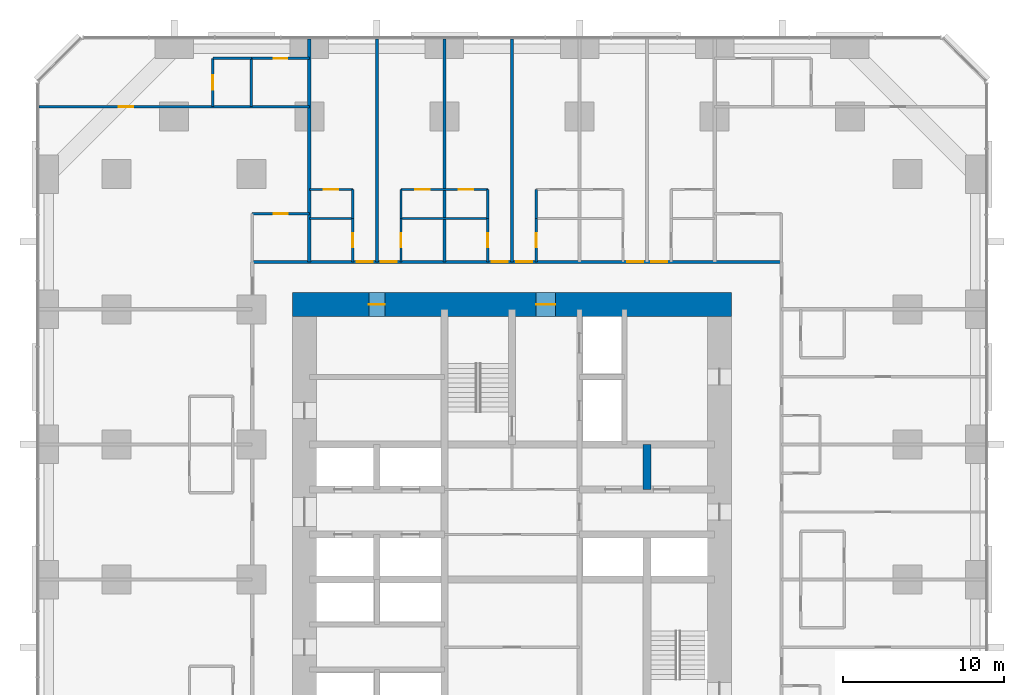
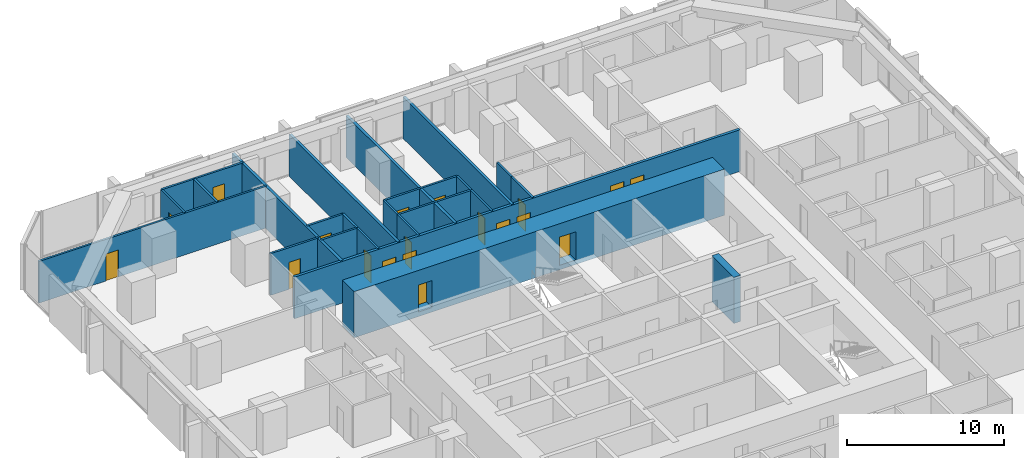
# One storey, part 14 of 17: 25 walls, 19 doors, 19 openings.
"""IFC4 building model written with IfcOpenShell, lengths in metres."""

from ifc_helpers import new_model, si_unit, direction, frame, frame_2d, origin, place, context, subcontext, project, spatial, rectangle, extrude, material, layer, layer_set, type_object, element, fill, save


model = new_model("IFC4")

# Units and contexts
model_context = context("Model", 3, precision=1e-05, world=origin(), true_north=direction((0.0, 1.0)))
body_context = subcontext(model_context, "Body", "Model", "MODEL_VIEW")
ifc_project = project(units=[si_unit("LENGTHUNIT", "METRE"), si_unit("AREAUNIT", "SQUARE_METRE"), si_unit("VOLUMEUNIT", "CUBIC_METRE"), si_unit("PLANEANGLEUNIT", "RADIAN"), si_unit("MASSUNIT", "GRAM", prefix="KILO")], contexts=[model_context])

# Site, building, storey
site_placement = place(None, origin())
site = spatial("IfcSite", under=ifc_project, at=site_placement, CompositionType="ELEMENT")
building_placement = place(site_placement, origin())
building = spatial("IfcBuilding", under=site, at=building_placement, Name="Dunama Terrace Hotel", CompositionType="ELEMENT")
storey_placement = place(building_placement, frame((0.0, 0.0, 63.0)))
storey = spatial("IfcBuildingStorey", under=building, at=storey_placement, Name="L15", CompositionType="ELEMENT", Elevation=63.0)

# Wall, opening, door
ifc_material_1 = material(Name="Gypsum board partition", Category="masonry")
ifc_layer_1 = layer(ifc_material_1, 0.14990234375)
ifc_layer_set_1 = layer_set([ifc_layer_1], Name="Bathroom partition 150")
wall_type_1 = type_object("IfcWallType", Name="Bathroom partition 150", PredefinedType="PARTITIONING", material=ifc_layer_set_1)
wall_1_placement = place(storey_placement, frame((19.5, 44.949951171875, 0.0), z_axis=(0.0, 0.0, 1.0), x_axis=(0.0, 1.0, 0.0)))
wall_1 = element("IfcWall", 1, at=wall_1_placement, inside=storey, type_object=wall_type_1, Name="Bathroom partition 150 L15", PredefinedType="PARTITIONING", context=body_context, shape_type="SweptSolid", body=[
    extrude(rectangle(XDim=2.699951171875, YDim=0.14990234375, at=frame_2d((1.35009765625, 0.0))), origin(), (0.0, 0.0, 1.0), 3.25),
])
opening_1_placement = place(wall_1_placement, frame((0.925048828125, 0.0, 0.0)))
opening_1 = element("IfcOpeningElement", 2, at=opening_1_placement, cuts=wall_1, Name="Opening L15-16-032", PredefinedType="OPENING", context=body_context, shape_type="SweptSolid", body=[
    extrude(rectangle(XDim=0.85009765625, YDim=2.10009765625, at=frame_2d((0.425048828125, 1.050048828125))), frame((0.0, 0.0849609375, 0.0), z_axis=(0.0, -1.0, 0.0), x_axis=(1.0, 0.0, 0.0)), (0.0, 0.0, 1.0), 0.169921875),
])
ifc_material_2 = material(Name="Timber door with steel frame", Category="steel")
door_type_1 = type_object("IfcDoorType", Name="Bathroom door 850", OperationType="SINGLE_SWING_LEFT", PredefinedType="DOOR", material=ifc_material_2)
door_1_placement = place(opening_1_placement, origin())
door_1 = element("IfcDoor", 3, at=door_1_placement, inside=storey, type_object=door_type_1, Name="Door to en-suite bathroom L15-16-032, type D2", OperationType="SINGLE_SWING_LEFT", OverallHeight=2.10009765625, OverallWidth=0.85009765625, PredefinedType="DOOR", context=body_context, shape_type="SweptSolid", body=[
    extrude(rectangle(XDim=0.85009765625, YDim=2.10009765625, at=frame_2d((0.425048828125, 1.050048828125))), frame((0.0, 0.02490234375, 0.0), z_axis=(0.0, -1.0, 0.0), x_axis=(1.0, 0.0, 0.0)), (0.0, 0.0, 1.0), 0.050048828125),
])
fill(opening_1, door_1)

wall_2_placement = place(storey_placement, frame((22.5, 44.949951171875, 0.0), z_axis=(0.0, 0.0, 1.0), x_axis=(0.0, 1.0, 0.0)))
wall_2 = element("IfcWall", 4, at=wall_2_placement, inside=storey, type_object=wall_type_1, Name="Bathroom partition 150 L15", PredefinedType="PARTITIONING", context=body_context, shape_type="SweptSolid", body=[
    extrude(rectangle(XDim=2.699951171875, YDim=0.14990234375, at=frame_2d((1.35009765625, 0.0))), origin(), (0.0, 0.0, 1.0), 3.25),
])
opening_2_placement = place(wall_2_placement, frame((0.925048828125, 0.0, 0.0)))
opening_2 = element("IfcOpeningElement", 5, at=opening_2_placement, cuts=wall_2, Name="Opening L15-16-035", PredefinedType="OPENING", context=body_context, shape_type="SweptSolid", body=[
    extrude(rectangle(XDim=0.85009765625, YDim=2.10009765625, at=frame_2d((0.425048828125, 1.050048828125))), frame((0.0, 0.0849609375, 0.0), z_axis=(0.0, -1.0, 0.0), x_axis=(1.0, 0.0, 0.0)), (0.0, 0.0, 1.0), 0.169921875),
])
door_2_placement = place(opening_2_placement, frame((0.85009765625, 0.0, 0.0), z_axis=(0.0, 0.0, 1.0), x_axis=(-1.0, 0.0, 0.0)))
door_2 = element("IfcDoor", 6, at=door_2_placement, inside=storey, type_object=door_type_1, Name="Door to en-suite bathroom L15-16-035, type D2", OperationType="SINGLE_SWING_RIGHT", OverallHeight=2.10009765625, OverallWidth=0.85009765625, PredefinedType="DOOR", context=body_context, shape_type="SweptSolid", body=[
    extrude(rectangle(XDim=0.85009765625, YDim=2.10009765625, at=frame_2d((0.425048828125, 1.050048828125))), frame((0.0, 0.025146484375, 0.0), z_axis=(0.0, -1.0, 0.0), x_axis=(1.0, 0.0, 0.0)), (0.0, 0.0, 1.0), 0.050048828125),
])
fill(opening_2, door_2)

wall_3_placement = place(storey_placement, frame((27.89990234375, 44.949951171875, 0.0), z_axis=(0.0, 0.0, 1.0), x_axis=(0.0, 1.0, 0.0)))
wall_3 = element("IfcWall", 7, at=wall_3_placement, inside=storey, type_object=wall_type_1, Name="Bathroom partition 150 L15", PredefinedType="PARTITIONING", context=body_context, shape_type="SweptSolid", body=[
    extrude(rectangle(XDim=2.699951171875, YDim=0.14990234375, at=frame_2d((1.35009765625, 0.0))), origin(), (0.0, 0.0, 1.0), 3.25),
])
opening_3_placement = place(wall_3_placement, frame((0.925048828125, 0.0, 0.0)))
opening_3 = element("IfcOpeningElement", 8, at=opening_3_placement, cuts=wall_3, Name="Opening L15-16-038", PredefinedType="OPENING", context=body_context, shape_type="SweptSolid", body=[
    extrude(rectangle(XDim=0.85009765625, YDim=2.10009765625, at=frame_2d((0.425048828125, 1.050048828125))), frame((0.0, 0.0849609375, 0.0), z_axis=(0.0, -1.0, 0.0), x_axis=(1.0, 0.0, 0.0)), (0.0, 0.0, 1.0), 0.169921875),
])
door_3_placement = place(opening_3_placement, origin())
door_3 = element("IfcDoor", 9, at=door_3_placement, inside=storey, type_object=door_type_1, Name="Door to en-suite bathroom L15-16-038, type D2", OperationType="SINGLE_SWING_LEFT", OverallHeight=2.10009765625, OverallWidth=0.85009765625, PredefinedType="DOOR", context=body_context, shape_type="SweptSolid", body=[
    extrude(rectangle(XDim=0.85009765625, YDim=2.10009765625, at=frame_2d((0.425048828125, 1.050048828125))), frame((0.0, 0.02490234375, 0.0), z_axis=(0.0, -1.0, 0.0), x_axis=(1.0, 0.0, 0.0)), (0.0, 0.0, 1.0), 0.050048828125),
])
fill(opening_3, door_3)

wall_4_placement = place(storey_placement, frame((30.89990234375, 44.949951171875, 0.0), z_axis=(0.0, 0.0, 1.0), x_axis=(0.0, 1.0, 0.0)))
wall_4 = element("IfcWall", 10, at=wall_4_placement, inside=storey, type_object=wall_type_1, Name="Bathroom partition 150 L15", PredefinedType="PARTITIONING", context=body_context, shape_type="SweptSolid", body=[
    extrude(rectangle(XDim=2.699951171875, YDim=0.14990234375, at=frame_2d((1.35009765625, 0.0))), origin(), (0.0, 0.0, 1.0), 3.25),
])
opening_4_placement = place(wall_4_placement, frame((0.925048828125, 0.0, 0.0)))
opening_4 = element("IfcOpeningElement", 11, at=opening_4_placement, cuts=wall_4, Name="Opening L15-16-041", PredefinedType="OPENING", context=body_context, shape_type="SweptSolid", body=[
    extrude(rectangle(XDim=0.85009765625, YDim=2.10009765625, at=frame_2d((0.425048828125, 1.050048828125))), frame((0.0, 0.0849609375, 0.0), z_axis=(0.0, -1.0, 0.0), x_axis=(1.0, 0.0, 0.0)), (0.0, 0.0, 1.0), 0.169921875),
])
door_4_placement = place(opening_4_placement, frame((0.85009765625, 0.0, 0.0), z_axis=(0.0, 0.0, 1.0), x_axis=(-1.0, 0.0, 0.0)))
door_4 = element("IfcDoor", 12, at=door_4_placement, inside=storey, type_object=door_type_1, Name="Door to en-suite bathroom L15-16-041, type D2", OperationType="SINGLE_SWING_RIGHT", OverallHeight=2.10009765625, OverallWidth=0.85009765625, PredefinedType="DOOR", context=body_context, shape_type="SweptSolid", body=[
    extrude(rectangle(XDim=0.85009765625, YDim=2.10009765625, at=frame_2d((0.425048828125, 1.050048828125))), frame((0.0, 0.025146484375, 0.0), z_axis=(0.0, -1.0, 0.0), x_axis=(1.0, 0.0, 0.0)), (0.0, 0.0, 1.0), 0.050048828125),
])
fill(opening_4, door_4)

wall_5_placement = place(storey_placement, frame((13.25, 47.949951171875, 0.0), z_axis=(0.0, 0.0, 1.0), x_axis=(1.0, 0.0, 0.0)))
wall_5 = element("IfcWall", 13, at=wall_5_placement, inside=storey, type_object=wall_type_1, Name="Bathroom partition 150 L15", PredefinedType="PARTITIONING", context=body_context, shape_type="SweptSolid", body=[
    extrude(rectangle(XDim=3.550048828125, YDim=0.14990234375, at=frame_2d((1.77490234375, 0.0))), origin(), (0.0, 0.0, 1.0), 3.25),
])
opening_5_placement = place(wall_5_placement, frame((1.35009765625, 0.0, 0.0)))
opening_5 = element("IfcOpeningElement", 14, at=opening_5_placement, cuts=wall_5, Name="Opening L15-16-071", PredefinedType="OPENING", context=body_context, shape_type="SweptSolid", body=[
    extrude(rectangle(XDim=0.85009765625, YDim=2.10009765625, at=frame_2d((0.425048828125, 1.050048828125))), frame((0.0, 0.0849609375, 0.0), z_axis=(0.0, -1.0, 0.0), x_axis=(1.0, 0.0, 0.0)), (0.0, 0.0, 1.0), 0.169921875),
])
door_5_placement = place(opening_5_placement, frame((0.85009765625, 0.0, 0.0), z_axis=(0.0, 0.0, 1.0), x_axis=(-1.0, 0.0, 0.0)))
door_5 = element("IfcDoor", 15, at=door_5_placement, inside=storey, type_object=door_type_1, Name="Door to powder room L15-16-071, type D2", OperationType="SINGLE_SWING_LEFT", OverallHeight=2.10009765625, OverallWidth=0.85009765625, PredefinedType="DOOR", context=body_context, shape_type="SweptSolid", body=[
    extrude(rectangle(XDim=0.85009765625, YDim=2.10009765625, at=frame_2d((0.425048828125, 1.050048828125))), frame((0.0, 0.025146484375, 0.0), z_axis=(0.0, -1.0, 0.0), x_axis=(1.0, 0.0, 0.0)), (0.0, 0.0, 1.0), 0.050048828125),
])
fill(opening_5, door_5)

wall_6_placement = place(storey_placement, frame((13.199951171875, 57.60009765625, 0.0), z_axis=(0.0, 0.0, 1.0), x_axis=(1.0, 0.0, 0.0)))
wall_6 = element("IfcWall", 16, at=wall_6_placement, inside=storey, type_object=wall_type_1, Name="Bathroom partition 150 L15", PredefinedType="PARTITIONING", context=body_context, shape_type="SweptSolid", body=[
    extrude(rectangle(XDim=3.60009765625, YDim=0.14990234375, at=frame_2d((1.800048828125, 0.0))), origin(), (0.0, 0.0, 1.0), 3.25),
])
opening_6_placement = place(wall_6_placement, frame((1.375, 0.0, 0.0)))
opening_6 = element("IfcOpeningElement", 17, at=opening_6_placement, cuts=wall_6, Name="Opening L15-16-073", PredefinedType="OPENING", context=body_context, shape_type="SweptSolid", body=[
    extrude(rectangle(XDim=0.85009765625, YDim=2.10009765625, at=frame_2d((0.425048828125, 1.050048828125))), frame((0.0, 0.0849609375, 0.0), z_axis=(0.0, -1.0, 0.0), x_axis=(1.0, 0.0, 0.0)), (0.0, 0.0, 1.0), 0.169921875),
])
door_6_placement = place(opening_6_placement, frame((0.85009765625, 0.0, 0.0), z_axis=(0.0, 0.0, 1.0), x_axis=(-1.0, 0.0, 0.0)))
door_6 = element("IfcDoor", 18, at=door_6_placement, inside=storey, type_object=door_type_1, Name="Door to en-suite bathroom L15-16-073, type D2", OperationType="SINGLE_SWING_LEFT", OverallHeight=2.10009765625, OverallWidth=0.85009765625, PredefinedType="DOOR", context=body_context, shape_type="SweptSolid", body=[
    extrude(rectangle(XDim=0.85009765625, YDim=2.10009765625, at=frame_2d((0.425048828125, 1.050048828125))), frame((0.0, 0.025146484375, 0.0), z_axis=(0.0, -1.0, 0.0), x_axis=(1.0, 0.0, 0.0)), (0.0, 0.0, 1.0), 0.050048828125),
])
fill(opening_6, door_6)

# Wall
ifc_material_3 = material(Name="Concrete C50/60", Category="concrete")
ifc_layer_2 = layer(ifc_material_3, 0.5)
ifc_layer_set_2 = layer_set([ifc_layer_2], Name="Core inner wall 500")
wall_type_2 = type_object("IfcWallType", Name="Core inner wall 500", PredefinedType="SHEAR", material=ifc_layer_set_2)
wall_7_placement = place(storey_placement, frame((37.800048828125, 30.800048828125, -0.35009765625), z_axis=(0.0, 0.0, 1.0), x_axis=(0.0, 1.0, 0.0)))
element("IfcWall", 19, at=wall_7_placement, inside=storey, type_object=wall_type_2, Name="Core inner wall 500 L15", PredefinedType="SHEAR", context=body_context, shape_type="SweptSolid", body=[
    extrude(rectangle(XDim=2.800048828125, YDim=0.5, at=frame_2d((1.39990234375, 0.0))), origin(), (0.0, 0.0, 1.0), 3.60009765625),
])

# Wall, openings, doors
ifc_material_4 = material(Name="Concrete C60/75", Category="concrete")
ifc_layer_3 = layer(ifc_material_4, 1.5)
ifc_layer_set_3 = layer_set([ifc_layer_3], Name="Core wall 1500")
wall_type_3 = type_object("IfcWallType", Name="Core wall 1500", PredefinedType="SHEAR", material=ifc_layer_set_3)
wall_8_placement = place(storey_placement, frame((43.050048828125, 42.300048828125, -0.35009765625), z_axis=(0.0, 0.0, 1.0), x_axis=(-1.0, 0.0, 0.0)))
wall_8 = element("IfcWall", 20, at=wall_8_placement, inside=storey, type_object=wall_type_3, Name="Core wall north L15", PredefinedType="SHEAR", context=body_context, shape_type="SweptSolid", body=[
    extrude(rectangle(XDim=27.300048828125, YDim=1.5, at=frame_2d((13.64990234375, 0.0))), origin(), (0.0, 0.0, 1.0), 3.60009765625),
])
opening_7_placement = place(wall_8_placement, frame((21.550048828125, 0.0, 0.35009765625)))
opening_7 = element("IfcOpeningElement", 21, at=opening_7_placement, cuts=wall_8, Name="Opening L15-16-078", PredefinedType="OPENING", context=body_context, shape_type="SweptSolid", body=[
    extrude(rectangle(XDim=1.0, YDim=2.10009765625, at=frame_2d((0.5, 1.050048828125))), frame((0.0, 0.760009765625, 0.0), z_axis=(0.0, -1.0, 0.0), x_axis=(1.0, 0.0, 0.0)), (0.0, 0.0, 1.0), 1.52001953125),
])
opening_8_placement = place(wall_8_placement, frame((10.949951171875, 0.0, 0.35009765625)))
opening_8 = element("IfcOpeningElement", 22, at=opening_8_placement, cuts=wall_8, Name="Opening L15-16-086", PredefinedType="OPENING", context=body_context, shape_type="SweptSolid", body=[
    extrude(rectangle(XDim=1.199951171875, YDim=2.199951171875, at=frame_2d((0.60009765625, 1.10009765625))), frame((0.0, 0.760009765625, 0.0), z_axis=(0.0, -1.0, 0.0), x_axis=(1.0, 0.0, 0.0)), (0.0, 0.0, 1.0), 1.52001953125),
])
ifc_material_5 = material(Name="Timber door with steel frame", Category="steel")
door_type_2 = type_object("IfcDoorType", Name="Firefighting lobby door 1200", OperationType="SINGLE_SWING_LEFT", PredefinedType="DOOR", material=ifc_material_5)
door_7_placement = place(opening_8_placement, origin())
door_7 = element("IfcDoor", 23, at=door_7_placement, inside=storey, type_object=door_type_2, Name="Door to firefighting lobby L15-16-086, type D4", OperationType="SINGLE_SWING_RIGHT", OverallHeight=2.199951171875, OverallWidth=1.199951171875, PredefinedType="DOOR", context=body_context, shape_type="SweptSolid", body=[
    extrude(rectangle(XDim=1.199951171875, YDim=2.199951171875, at=frame_2d((0.60009765625, 1.10009765625))), frame((0.0, 0.02490234375, 0.0), z_axis=(0.0, -1.0, 0.0), x_axis=(1.0, 0.0, 0.0)), (0.0, 0.0, 1.0), 0.050048828125),
])
fill(opening_8, door_7)
ifc_material_6 = material(Name="Timber door with steel frame", Category="steel")
door_type_3 = type_object("IfcDoorType", Name="Service door 1000", OperationType="SINGLE_SWING_LEFT", PredefinedType="DOOR", material=ifc_material_6)
door_8_placement = place(opening_7_placement, origin())
door_8 = element("IfcDoor", 24, at=door_8_placement, inside=storey, type_object=door_type_3, Name="Door to communications and riser room L15-16-078, type D7", OperationType="SINGLE_SWING_LEFT", OverallHeight=2.10009765625, OverallWidth=1.0, PredefinedType="DOOR", context=body_context, shape_type="SweptSolid", body=[
    extrude(rectangle(XDim=1.0, YDim=2.10009765625, at=frame_2d((0.5, 1.050048828125))), frame((0.0, 0.02490234375, 0.0), z_axis=(0.0, -1.0, 0.0), x_axis=(1.0, 0.0, 0.0)), (0.0, 0.0, 1.0), 0.050048828125),
])
fill(opening_7, door_8)

ifc_material_7 = material(Name="Concrete blockwork", Category="masonry")
ifc_layer_4 = layer(ifc_material_7, 0.199951171875)
ifc_layer_set_4 = layer_set([ifc_layer_4], Name="Corridor partition 200")
wall_type_4 = type_object("IfcWallType", Name="Corridor partition 200", PredefinedType="PARTITIONING", material=ifc_layer_set_4)
wall_9_placement = place(storey_placement, frame((13.25, 44.949951171875, 0.0), z_axis=(0.0, 0.0, 1.0), x_axis=(1.0, 0.0, 0.0)))
wall_9 = element("IfcWall", 25, at=wall_9_placement, inside=storey, type_object=wall_type_4, Name="Corridor partition 200 L15", PredefinedType="PARTITIONING", context=body_context, shape_type="SweptSolid", body=[
    extrude(rectangle(XDim=32.89990234375, YDim=0.199951171875, at=frame_2d((16.449951171875, 0.0))), origin(), (0.0, 0.0, 1.0), 3.25),
])
opening_9_placement = place(wall_9_placement, frame((6.5, 0.0, 0.0)))
opening_9 = element("IfcOpeningElement", 26, at=opening_9_placement, cuts=wall_9, Name="Opening L15-16-031", PredefinedType="OPENING", context=body_context, shape_type="SweptSolid", body=[
    extrude(rectangle(XDim=1.0, YDim=2.199951171875, at=frame_2d((0.5, 1.10009765625))), frame((0.0, 0.10986328125, 0.0), z_axis=(0.0, -1.0, 0.0), x_axis=(1.0, 0.0, 0.0)), (0.0, 0.0, 1.0), 0.219970703125),
])
opening_10_placement = place(wall_9_placement, frame((8.0, 0.0, 0.0)))
opening_10 = element("IfcOpeningElement", 27, at=opening_10_placement, cuts=wall_9, Name="Opening L15-16-034", PredefinedType="OPENING", context=body_context, shape_type="SweptSolid", body=[
    extrude(rectangle(XDim=1.0, YDim=2.199951171875, at=frame_2d((0.5, 1.10009765625))), frame((0.0, 0.10986328125, 0.0), z_axis=(0.0, -1.0, 0.0), x_axis=(1.0, 0.0, 0.0)), (0.0, 0.0, 1.0), 0.219970703125),
])
opening_11_placement = place(wall_9_placement, frame((14.89990234375, 0.0, 0.0)))
opening_11 = element("IfcOpeningElement", 28, at=opening_11_placement, cuts=wall_9, Name="Opening L15-16-037", PredefinedType="OPENING", context=body_context, shape_type="SweptSolid", body=[
    extrude(rectangle(XDim=1.0, YDim=2.199951171875, at=frame_2d((0.5, 1.10009765625))), frame((0.0, 0.10986328125, 0.0), z_axis=(0.0, -1.0, 0.0), x_axis=(1.0, 0.0, 0.0)), (0.0, 0.0, 1.0), 0.219970703125),
])
opening_12_placement = place(wall_9_placement, frame((16.39990234375, 0.0, 0.0)))
opening_12 = element("IfcOpeningElement", 29, at=opening_12_placement, cuts=wall_9, Name="Opening L15-16-040", PredefinedType="OPENING", context=body_context, shape_type="SweptSolid", body=[
    extrude(rectangle(XDim=1.0, YDim=2.199951171875, at=frame_2d((0.5, 1.10009765625))), frame((0.0, 0.10986328125, 0.0), z_axis=(0.0, -1.0, 0.0), x_axis=(1.0, 0.0, 0.0)), (0.0, 0.0, 1.0), 0.219970703125),
])
opening_13_placement = place(wall_9_placement, frame((23.300048828125, 0.0, 0.0)))
opening_13 = element("IfcOpeningElement", 30, at=opening_13_placement, cuts=wall_9, Name="Opening L15-16-043", PredefinedType="OPENING", context=body_context, shape_type="SweptSolid", body=[
    extrude(rectangle(XDim=1.0, YDim=2.199951171875, at=frame_2d((0.5, 1.10009765625))), frame((0.0, 0.10986328125, 0.0), z_axis=(0.0, -1.0, 0.0), x_axis=(1.0, 0.0, 0.0)), (0.0, 0.0, 1.0), 0.219970703125),
])
opening_14_placement = place(wall_9_placement, frame((24.800048828125, 0.0, 0.0)))
opening_14 = element("IfcOpeningElement", 31, at=opening_14_placement, cuts=wall_9, Name="Opening L15-16-046", PredefinedType="OPENING", context=body_context, shape_type="SweptSolid", body=[
    extrude(rectangle(XDim=1.0, YDim=2.199951171875, at=frame_2d((0.5, 1.10009765625))), frame((0.0, 0.10986328125, 0.0), z_axis=(0.0, -1.0, 0.0), x_axis=(1.0, 0.0, 0.0)), (0.0, 0.0, 1.0), 0.219970703125),
])
ifc_material_8 = material(Name="Timber door with steel frame", Category="steel")
door_type_4 = type_object("IfcDoorType", Name="Guest room door 1000", OperationType="SINGLE_SWING_LEFT", PredefinedType="DOOR", material=ifc_material_8)
door_9_placement = place(opening_9_placement, origin())
door_9 = element("IfcDoor", 32, at=door_9_placement, inside=storey, type_object=door_type_4, Name="Door to deluxe room L15-16-031, type D1", OperationType="SINGLE_SWING_RIGHT", OverallHeight=2.199951171875, OverallWidth=1.0, PredefinedType="DOOR", context=body_context, shape_type="SweptSolid", body=[
    extrude(rectangle(XDim=1.0, YDim=2.199951171875, at=frame_2d((0.5, 1.10009765625))), frame((0.0, 0.02490234375, 0.0), z_axis=(0.0, -1.0, 0.0), x_axis=(1.0, 0.0, 0.0)), (0.0, 0.0, 1.0), 0.050048828125),
])
fill(opening_9, door_9)
door_10_placement = place(opening_10_placement, origin())
door_10 = element("IfcDoor", 33, at=door_10_placement, inside=storey, type_object=door_type_4, Name="Door to deluxe room L15-16-034, type D1", OperationType="SINGLE_SWING_LEFT", OverallHeight=2.199951171875, OverallWidth=1.0, PredefinedType="DOOR", context=body_context, shape_type="SweptSolid", body=[
    extrude(rectangle(XDim=1.0, YDim=2.199951171875, at=frame_2d((0.5, 1.10009765625))), frame((0.0, 0.02490234375, 0.0), z_axis=(0.0, -1.0, 0.0), x_axis=(1.0, 0.0, 0.0)), (0.0, 0.0, 1.0), 0.050048828125),
])
fill(opening_10, door_10)
door_11_placement = place(opening_11_placement, origin())
door_11 = element("IfcDoor", 34, at=door_11_placement, inside=storey, type_object=door_type_4, Name="Door to deluxe room L15-16-037, type D1", OperationType="SINGLE_SWING_RIGHT", OverallHeight=2.199951171875, OverallWidth=1.0, PredefinedType="DOOR", context=body_context, shape_type="SweptSolid", body=[
    extrude(rectangle(XDim=1.0, YDim=2.199951171875, at=frame_2d((0.5, 1.10009765625))), frame((0.0, 0.02490234375, 0.0), z_axis=(0.0, -1.0, 0.0), x_axis=(1.0, 0.0, 0.0)), (0.0, 0.0, 1.0), 0.050048828125),
])
fill(opening_11, door_11)
door_12_placement = place(opening_12_placement, origin())
door_12 = element("IfcDoor", 35, at=door_12_placement, inside=storey, type_object=door_type_4, Name="Door to deluxe room L15-16-040, type D1", OperationType="SINGLE_SWING_LEFT", OverallHeight=2.199951171875, OverallWidth=1.0, PredefinedType="DOOR", context=body_context, shape_type="SweptSolid", body=[
    extrude(rectangle(XDim=1.0, YDim=2.199951171875, at=frame_2d((0.5, 1.10009765625))), frame((0.0, 0.02490234375, 0.0), z_axis=(0.0, -1.0, 0.0), x_axis=(1.0, 0.0, 0.0)), (0.0, 0.0, 1.0), 0.050048828125),
])
fill(opening_12, door_12)
door_13_placement = place(opening_13_placement, origin())
door_13 = element("IfcDoor", 36, at=door_13_placement, inside=storey, type_object=door_type_4, Name="Door to deluxe room L15-16-043, type D1", OperationType="SINGLE_SWING_RIGHT", OverallHeight=2.199951171875, OverallWidth=1.0, PredefinedType="DOOR", context=body_context, shape_type="SweptSolid", body=[
    extrude(rectangle(XDim=1.0, YDim=2.199951171875, at=frame_2d((0.5, 1.10009765625))), frame((0.0, 0.02490234375, 0.0), z_axis=(0.0, -1.0, 0.0), x_axis=(1.0, 0.0, 0.0)), (0.0, 0.0, 1.0), 0.050048828125),
])
fill(opening_13, door_13)
door_14_placement = place(opening_14_placement, origin())
door_14 = element("IfcDoor", 37, at=door_14_placement, inside=storey, type_object=door_type_4, Name="Door to deluxe room L15-16-046, type D1", OperationType="SINGLE_SWING_LEFT", OverallHeight=2.199951171875, OverallWidth=1.0, PredefinedType="DOOR", context=body_context, shape_type="SweptSolid", body=[
    extrude(rectangle(XDim=1.0, YDim=2.199951171875, at=frame_2d((0.5, 1.10009765625))), frame((0.0, 0.02490234375, 0.0), z_axis=(0.0, -1.0, 0.0), x_axis=(1.0, 0.0, 0.0)), (0.0, 0.0, 1.0), 0.050048828125),
])
fill(opening_14, door_14)

# Walls
ifc_material_9 = material(Name="Concrete blockwork", Category="masonry")
ifc_layer_5 = layer(ifc_material_9, 0.199951171875)
ifc_layer_set_5 = layer_set([ifc_layer_5], Name="Party wall 200")
wall_type_5 = type_object("IfcWallType", Name="Party wall 200", PredefinedType="PARTITIONING", material=ifc_layer_set_5)
for number, where, z_axis, x_axis, name in (
    (38, (16.800048828125, 44.949951171875, 0.0), (0.0, 0.0, 1.0), (0.0, 1.0, 0.0), "Party wall 200 L15"),
    (39, (21.0, 44.949951171875, 0.0), (0.0, 0.0, 1.0), (0.0, 1.0, 0.0), "Party wall 200 L15"),
    (40, (25.199951171875, 44.949951171875, 0.0), (0.0, 0.0, 1.0), (0.0, 1.0, 0.0), "Party wall 200 L15"),
    (41, (29.39990234375, 44.949951171875, 0.0), (0.0, 0.0, 1.0), (0.0, 1.0, 0.0), "Party wall 200 L15"),
):
    element("IfcWall", number, at=place(storey_placement, frame(where, z_axis=z_axis, x_axis=x_axis)), inside=storey, type_object=wall_type_5, Name=name, PredefinedType="PARTITIONING", context=body_context, shape_type="SweptSolid", body=[
        extrude(rectangle(XDim=13.858154296875, YDim=0.199951171875, at=frame_2d((6.92919921875, 0.0))), origin(), (0.0, 0.0, 1.0), 3.25),
    ])

# Wall, opening, door
ifc_material_10 = material(Name="Gypsum board partition", Category="masonry")
ifc_layer_6 = layer(ifc_material_10, 0.14990234375)
ifc_layer_set_6 = layer_set([ifc_layer_6], Name="Room partition 150")
wall_type_6 = type_object("IfcWallType", Name="Room partition 150", PredefinedType="PARTITIONING", material=ifc_layer_set_6)
wall_10_placement = place(storey_placement, frame((10.800048828125, 54.60009765625, 0.0), z_axis=(0.0, 0.0, 1.0), x_axis=(0.0, 1.0, 0.0)))
wall_10 = element("IfcWall", 42, at=wall_10_placement, inside=storey, type_object=wall_type_6, Name="Room partition 150 L15", PredefinedType="PARTITIONING", context=body_context, shape_type="SweptSolid", body=[
    extrude(rectangle(XDim=3.0, YDim=0.14990234375, at=frame_2d((1.5, 0.0))), origin(), (0.0, 0.0, 1.0), 3.25),
])
opening_15_placement = place(wall_10_placement, frame((1.050048828125, 0.0, 0.0)))
opening_15 = element("IfcOpeningElement", 43, at=opening_15_placement, cuts=wall_10, Name="Opening L15-16-074", PredefinedType="OPENING", context=body_context, shape_type="SweptSolid", body=[
    extrude(rectangle(XDim=0.89990234375, YDim=2.10009765625, at=frame_2d((0.449951171875, 1.050048828125))), frame((0.0, 0.0849609375, 0.0), z_axis=(0.0, -1.0, 0.0), x_axis=(1.0, 0.0, 0.0)), (0.0, 0.0, 1.0), 0.169921875),
])
ifc_material_11 = material(Name="Timber door with steel frame", Category="steel")
door_type_5 = type_object("IfcDoorType", Name="Suite internal door 900", OperationType="SINGLE_SWING_LEFT", PredefinedType="DOOR", material=ifc_material_11)
door_15_placement = place(opening_15_placement, frame((0.89990234375, 0.0, 0.0), z_axis=(0.0, 0.0, 1.0), x_axis=(-1.0, 0.0, 0.0)))
door_15 = element("IfcDoor", 44, at=door_15_placement, inside=storey, type_object=door_type_5, Name="Door to dressing room L15-16-074, type D16", OperationType="SINGLE_SWING_RIGHT", OverallHeight=2.10009765625, OverallWidth=0.89990234375, PredefinedType="DOOR", context=body_context, shape_type="SweptSolid", body=[
    extrude(rectangle(XDim=0.89990234375, YDim=2.10009765625, at=frame_2d((0.449951171875, 1.050048828125))), frame((0.0, 0.025146484375, 0.0), z_axis=(0.0, -1.0, 0.0), x_axis=(1.0, 0.0, 0.0)), (0.0, 0.0, 1.0), 0.050048828125),
])
fill(opening_15, door_15)

# Walls
wall_11_placement = place(storey_placement, frame((13.199951171875, 54.60009765625, 0.0), z_axis=(0.0, 0.0, 1.0), x_axis=(0.0, 1.0, 0.0)))
element("IfcWall", 45, at=wall_11_placement, inside=storey, type_object=wall_type_6, Name="Room partition 150 L15", PredefinedType="PARTITIONING", context=body_context, shape_type="SweptSolid", body=[
    extrude(rectangle(XDim=3.0, YDim=0.14990234375, at=frame_2d((1.5, 0.0))), origin(), (0.0, 0.0, 1.0), 3.25),
])
for number, where, z_axis, x_axis, name in (
    (46, (19.5, 47.64990234375, 0.0), (0.0, 0.0, 1.0), (0.0, 1.0, 0.0), "Room partition 150 L15"),
    (47, (22.5, 47.64990234375, 0.0), (0.0, 0.0, 1.0), (0.0, 1.0, 0.0), "Room partition 150 L15"),
    (48, (27.89990234375, 47.64990234375, 0.0), (0.0, 0.0, 1.0), (0.0, 1.0, 0.0), "Room partition 150 L15"),
    (49, (30.89990234375, 47.64990234375, 0.0), (0.0, 0.0, 1.0), (0.0, 1.0, 0.0), "Room partition 150 L15"),
):
    element("IfcWall", number, at=place(storey_placement, frame(where, z_axis=z_axis, x_axis=x_axis)), inside=storey, type_object=wall_type_6, Name=name, PredefinedType="PARTITIONING", context=body_context, shape_type="SweptSolid", body=[
        extrude(rectangle(XDim=1.800048828125, YDim=0.14990234375, at=frame_2d((0.89990234375, 0.0))), origin(), (0.0, 0.0, 1.0), 3.25),
    ])
wall_12_placement = place(storey_placement, frame((16.800048828125, 47.64990234375, 0.0), z_axis=(0.0, 0.0, 1.0), x_axis=(1.0, 0.0, 0.0)))
element("IfcWall", 50, at=wall_12_placement, inside=storey, type_object=wall_type_6, Name="Room partition 150 L15", PredefinedType="PARTITIONING", context=body_context, shape_type="SweptSolid", body=[
    extrude(rectangle(XDim=2.699951171875, YDim=0.14990234375, at=frame_2d((1.35009765625, 0.0))), origin(), (0.0, 0.0, 1.0), 3.25),
])
wall_13_placement = place(storey_placement, frame((22.5, 47.64990234375, 0.0), z_axis=(0.0, 0.0, 1.0), x_axis=(1.0, 0.0, 0.0)))
element("IfcWall", 51, at=wall_13_placement, inside=storey, type_object=wall_type_6, Name="Room partition 150 L15", PredefinedType="PARTITIONING", context=body_context, shape_type="SweptSolid", body=[
    extrude(rectangle(XDim=5.39990234375, YDim=0.14990234375, at=frame_2d((2.699951171875, 0.0))), origin(), (0.0, 0.0, 1.0), 3.25),
])

# Wall, opening, door
wall_14_placement = place(storey_placement, frame((16.800048828125, 49.449951171875, 0.0), z_axis=(0.0, 0.0, 1.0), x_axis=(1.0, 0.0, 0.0)))
wall_14 = element("IfcWall", 52, at=wall_14_placement, inside=storey, type_object=wall_type_6, Name="Room partition 150 L15", PredefinedType="PARTITIONING", context=body_context, shape_type="SweptSolid", body=[
    extrude(rectangle(XDim=2.699951171875, YDim=0.14990234375, at=frame_2d((1.35009765625, 0.0))), origin(), (0.0, 0.0, 1.0), 3.25),
])
opening_16_placement = place(wall_14_placement, frame((0.89990234375, 0.0, 0.0)))
opening_16 = element("IfcOpeningElement", 53, at=opening_16_placement, cuts=wall_14, Name="Opening L15-16-033", PredefinedType="OPENING", context=body_context, shape_type="SweptSolid", body=[
    extrude(rectangle(XDim=0.89990234375, YDim=2.10009765625, at=frame_2d((0.449951171875, 1.050048828125))), frame((0.0, 0.0849609375, 0.0), z_axis=(0.0, -1.0, 0.0), x_axis=(1.0, 0.0, 0.0)), (0.0, 0.0, 1.0), 0.169921875),
])
door_16_placement = place(opening_16_placement, frame((0.89990234375, 0.0, 0.0), z_axis=(0.0, 0.0, 1.0), x_axis=(-1.0, 0.0, 0.0)))
door_16 = element("IfcDoor", 54, at=door_16_placement, inside=storey, type_object=door_type_5, Name="Door to walk-in wardrobe L15-16-033, type D16", OperationType="SINGLE_SWING_RIGHT", OverallHeight=2.10009765625, OverallWidth=0.89990234375, PredefinedType="DOOR", context=body_context, shape_type="SweptSolid", body=[
    extrude(rectangle(XDim=0.89990234375, YDim=2.10009765625, at=frame_2d((0.449951171875, 1.050048828125))), frame((0.0, 0.025146484375, 0.0), z_axis=(0.0, -1.0, 0.0), x_axis=(1.0, 0.0, 0.0)), (0.0, 0.0, 1.0), 0.050048828125),
])
fill(opening_16, door_16)

# Wall, openings, doors
wall_15_placement = place(storey_placement, frame((22.5, 49.449951171875, 0.0), z_axis=(0.0, 0.0, 1.0), x_axis=(1.0, 0.0, 0.0)))
wall_15 = element("IfcWall", 55, at=wall_15_placement, inside=storey, type_object=wall_type_6, Name="Room partition 150 L15", PredefinedType="PARTITIONING", context=body_context, shape_type="SweptSolid", body=[
    extrude(rectangle(XDim=5.39990234375, YDim=0.14990234375, at=frame_2d((2.699951171875, 0.0))), origin(), (0.0, 0.0, 1.0), 3.25),
])
opening_17_placement = place(wall_15_placement, frame((0.89990234375, 0.0, 0.0)))
opening_17 = element("IfcOpeningElement", 56, at=opening_17_placement, cuts=wall_15, Name="Opening L15-16-036", PredefinedType="OPENING", context=body_context, shape_type="SweptSolid", body=[
    extrude(rectangle(XDim=0.89990234375, YDim=2.10009765625, at=frame_2d((0.449951171875, 1.050048828125))), frame((0.0, 0.0849609375, 0.0), z_axis=(0.0, -1.0, 0.0), x_axis=(1.0, 0.0, 0.0)), (0.0, 0.0, 1.0), 0.169921875),
])
opening_18_placement = place(wall_15_placement, frame((3.60009765625, 0.0, 0.0)))
opening_18 = element("IfcOpeningElement", 57, at=opening_18_placement, cuts=wall_15, Name="Opening L15-16-039", PredefinedType="OPENING", context=body_context, shape_type="SweptSolid", body=[
    extrude(rectangle(XDim=0.89990234375, YDim=2.10009765625, at=frame_2d((0.449951171875, 1.050048828125))), frame((0.0, 0.0849609375, 0.0), z_axis=(0.0, -1.0, 0.0), x_axis=(1.0, 0.0, 0.0)), (0.0, 0.0, 1.0), 0.169921875),
])
door_17_placement = place(opening_17_placement, frame((0.89990234375, 0.0, 0.0), z_axis=(0.0, 0.0, 1.0), x_axis=(-1.0, 0.0, 0.0)))
door_17 = element("IfcDoor", 58, at=door_17_placement, inside=storey, type_object=door_type_5, Name="Door to walk-in wardrobe L15-16-036, type D16", OperationType="SINGLE_SWING_LEFT", OverallHeight=2.10009765625, OverallWidth=0.89990234375, PredefinedType="DOOR", context=body_context, shape_type="SweptSolid", body=[
    extrude(rectangle(XDim=0.89990234375, YDim=2.10009765625, at=frame_2d((0.449951171875, 1.050048828125))), frame((0.0, 0.025146484375, 0.0), z_axis=(0.0, -1.0, 0.0), x_axis=(1.0, 0.0, 0.0)), (0.0, 0.0, 1.0), 0.050048828125),
])
fill(opening_17, door_17)
door_18_placement = place(opening_18_placement, frame((0.89990234375, 0.0, 0.0), z_axis=(0.0, 0.0, 1.0), x_axis=(-1.0, 0.0, 0.0)))
door_18 = element("IfcDoor", 59, at=door_18_placement, inside=storey, type_object=door_type_5, Name="Door to walk-in wardrobe L15-16-039, type D16", OperationType="SINGLE_SWING_RIGHT", OverallHeight=2.10009765625, OverallWidth=0.89990234375, PredefinedType="DOOR", context=body_context, shape_type="SweptSolid", body=[
    extrude(rectangle(XDim=0.89990234375, YDim=2.10009765625, at=frame_2d((0.449951171875, 1.050048828125))), frame((0.0, 0.025146484375, 0.0), z_axis=(0.0, -1.0, 0.0), x_axis=(1.0, 0.0, 0.0)), (0.0, 0.0, 1.0), 0.050048828125),
])
fill(opening_18, door_18)

# Wall, opening, door
wall_16_placement = place(storey_placement, frame((-0.008056640625, 54.60009765625, 0.0), z_axis=(0.0, 0.0, 1.0), x_axis=(1.0, 0.0, 0.0)))
wall_16 = element("IfcWall", 60, at=wall_16_placement, inside=storey, type_object=wall_type_6, Name="Room partition 150 L15", PredefinedType="PARTITIONING", context=body_context, shape_type="SweptSolid", body=[
    extrude(rectangle(XDim=16.80810546875, YDim=0.14990234375, at=frame_2d((8.404052734375, 0.0))), origin(), (0.0, 0.0, 1.0), 3.25),
])
opening_19_placement = place(wall_16_placement, frame((4.9580078125, 0.0, 0.0)))
opening_19 = element("IfcOpeningElement", 61, at=opening_19_placement, cuts=wall_16, Name="Opening L15-16-072", PredefinedType="OPENING", context=body_context, shape_type="SweptSolid", body=[
    extrude(rectangle(XDim=0.89990234375, YDim=2.10009765625, at=frame_2d((0.449951171875, 1.050048828125))), frame((0.0, 0.0849609375, 0.0), z_axis=(0.0, -1.0, 0.0), x_axis=(1.0, 0.0, 0.0)), (0.0, 0.0, 1.0), 0.169921875),
])
door_19_placement = place(opening_19_placement, origin())
door_19 = element("IfcDoor", 62, at=door_19_placement, inside=storey, type_object=door_type_5, Name="Door to corner suite bedroom L15-16-072, type D16", OperationType="SINGLE_SWING_RIGHT", OverallHeight=2.10009765625, OverallWidth=0.89990234375, PredefinedType="DOOR", context=body_context, shape_type="SweptSolid", body=[
    extrude(rectangle(XDim=0.89990234375, YDim=2.10009765625, at=frame_2d((0.449951171875, 1.050048828125))), frame((0.0, 0.02490234375, 0.0), z_axis=(0.0, -1.0, 0.0), x_axis=(1.0, 0.0, 0.0)), (0.0, 0.0, 1.0), 0.050048828125),
])
fill(opening_19, door_19)

# Wall
wall_17_placement = place(storey_placement, frame((10.800048828125, 57.60009765625, 0.0), z_axis=(0.0, 0.0, 1.0), x_axis=(1.0, 0.0, 0.0)))
element("IfcWall", 63, at=wall_17_placement, inside=storey, type_object=wall_type_6, Name="Room partition 150 L15", PredefinedType="PARTITIONING", context=body_context, shape_type="SweptSolid", body=[
    extrude(rectangle(XDim=2.39990234375, YDim=0.14990234375, at=frame_2d((1.199951171875, 0.0))), origin(), (0.0, 0.0, 1.0), 3.25),
])

save(model, "model.ifc")
